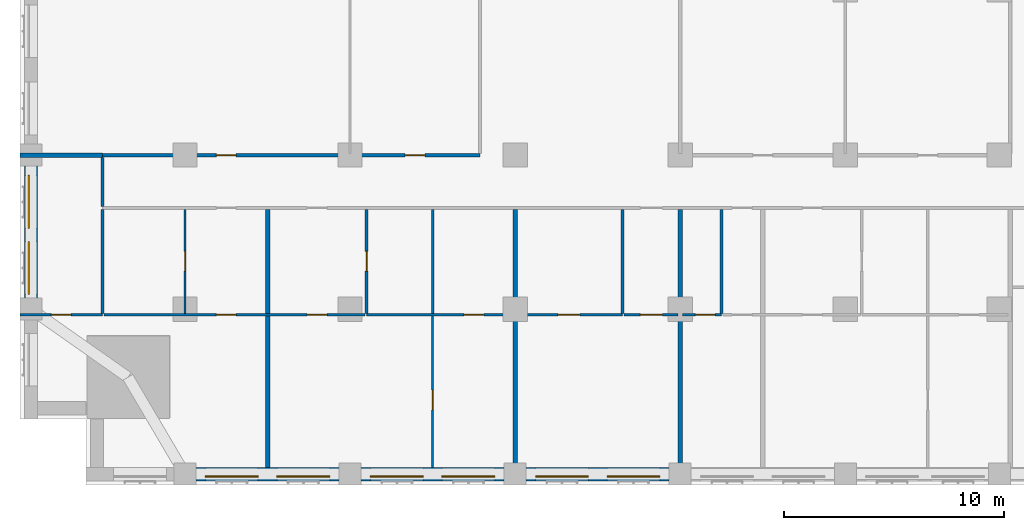
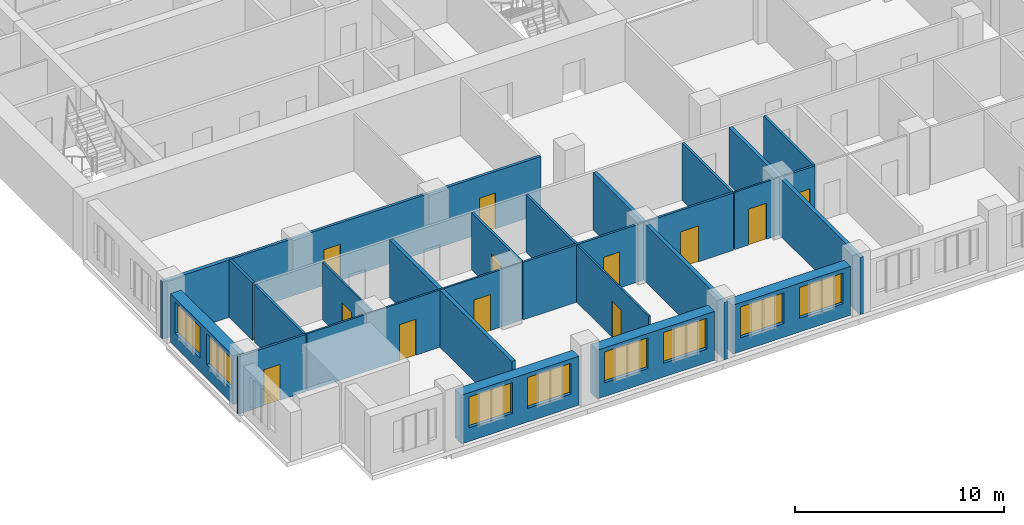
# One storey, part 4 of 14: 22 walls, 12 doors, 8 windows, 20 openings.
"""IFC4 building model written with IfcOpenShell, lengths in metres."""

from ifc_helpers import new_model, si_unit, direction, frame, frame_2d, origin, place, context, subcontext, project, spatial, rectangle, extrude, material, layer, layer_set, type_object, element, fill, save


model = new_model("IFC4")

# Units and contexts
model_context = context("Model", 3, precision=1e-05, world=origin(), true_north=direction((0.0, 1.0)))
body_context = subcontext(model_context, "Body", "Model", "MODEL_VIEW")
ifc_project = project(units=[si_unit("LENGTHUNIT", "METRE"), si_unit("AREAUNIT", "SQUARE_METRE"), si_unit("VOLUMEUNIT", "CUBIC_METRE"), si_unit("PLANEANGLEUNIT", "RADIAN"), si_unit("MASSUNIT", "GRAM", prefix="KILO")], contexts=[model_context])

# Site, building, storey
site_placement = place(None, origin())
site = spatial("IfcSite", under=ifc_project, at=site_placement, CompositionType="ELEMENT")
building_placement = place(site_placement, origin())
building = spatial("IfcBuilding", under=site, at=building_placement, Name="Tamorin Gate", CompositionType="ELEMENT")
storey_placement = place(building_placement, frame((0.0, 0.0, 79.10009765625)))
storey = spatial("IfcBuildingStorey", under=building, at=storey_placement, Name="L18", CompositionType="ELEMENT", Elevation=79.10009765625)

# Wall, openings, windows
ifc_material_1 = material(Name="Precast concrete C40/50", Category="concrete")
ifc_layer_1 = layer(ifc_material_1, 0.60009765625)
ifc_layer_set_1 = layer_set([ifc_layer_1], Name="Precast concrete C40/50")
wall_type_1 = type_object("IfcWallType", Name="Board-marked concrete facade panel 600", PredefinedType="SOLIDWALL", material=ifc_layer_set_1)
wall_1_placement = place(storey_placement, frame((38.0, 38.0, 0.0), z_axis=(0.0, 0.0, 1.0), x_axis=(1.0, 0.0, 0.0)))
wall_1 = element("IfcWall", 1, at=wall_1_placement, inside=storey, type_object=wall_type_1, Name="Facade panel", PredefinedType="SOLIDWALL", context=body_context, shape_type="SweptSolid", body=[
    extrude(rectangle(XDim=6.5, YDim=0.60009765625, at=frame_2d((3.25, 0.0))), origin(), (0.0, 0.0, 1.0), 2.849853515625),
])
opening_1_placement = place(wall_1_placement, frame((0.425048828125, 0.0, 0.800048828125)))
opening_1 = element("IfcOpeningElement", 2, at=opening_1_placement, cuts=wall_1, Name="Opening WN1", PredefinedType="OPENING", context=body_context, shape_type="SweptSolid", body=[
    extrude(rectangle(XDim=2.39990234375, YDim=1.800048828125, at=frame_2d((1.199951171875, 0.89990234375))), frame((0.0, 0.31005859375, 0.0), z_axis=(0.0, -1.0, 0.0), x_axis=(1.0, 0.0, 0.0)), (0.0, 0.0, 1.0), 0.6201171875),
])
opening_2_placement = place(wall_1_placement, frame((3.675048828125, 0.0, 0.800048828125)))
opening_2 = element("IfcOpeningElement", 3, at=opening_2_placement, cuts=wall_1, Name="Opening WN1", PredefinedType="OPENING", context=body_context, shape_type="SweptSolid", body=[
    extrude(rectangle(XDim=2.39990234375, YDim=1.800048828125, at=frame_2d((1.199951171875, 0.89990234375))), frame((0.0, 0.31005859375, 0.0), z_axis=(0.0, -1.0, 0.0), x_axis=(1.0, 0.0, 0.0)), (0.0, 0.0, 1.0), 0.6201171875),
])
ifc_material_2 = material(Name="Clear glass in aluminium frame", Category="aluminium")
window_type = type_object("IfcWindowType", Name="Deep-set window 2400x1800", PartitioningType="SINGLE_PANEL", PredefinedType="WINDOW", material=ifc_material_2)
window_1_placement = place(opening_1_placement, origin())
window_1 = element("IfcWindow", 4, at=window_1_placement, inside=storey, type_object=window_type, Name="Deep-set window", OverallHeight=1.800048828125, OverallWidth=2.39990234375, PartitioningType="SINGLE_PANEL", PredefinedType="WINDOW", context=body_context, shape_type="SweptSolid", body=[
    extrude(rectangle(XDim=2.39990234375, YDim=1.800048828125, at=frame_2d((1.199951171875, 0.89990234375))), frame((0.0, -0.070068359375, 0.0), z_axis=(0.0, -1.0, 0.0), x_axis=(1.0, 0.0, 0.0)), (0.0, 0.0, 1.0), 0.06005859375),
])
fill(opening_1, window_1)
window_2_placement = place(opening_2_placement, origin())
window_2 = element("IfcWindow", 5, at=window_2_placement, inside=storey, type_object=window_type, Name="Deep-set window", OverallHeight=1.800048828125, OverallWidth=2.39990234375, PartitioningType="SINGLE_PANEL", PredefinedType="WINDOW", context=body_context, shape_type="SweptSolid", body=[
    extrude(rectangle(XDim=2.39990234375, YDim=1.800048828125, at=frame_2d((1.199951171875, 0.89990234375))), frame((0.0, -0.070068359375, 0.0), z_axis=(0.0, -1.0, 0.0), x_axis=(1.0, 0.0, 0.0)), (0.0, 0.0, 1.0), 0.06005859375),
])
fill(opening_2, window_2)

wall_2_placement = place(storey_placement, frame((45.5, 38.0, 0.0), z_axis=(0.0, 0.0, 1.0), x_axis=(1.0, 0.0, 0.0)))
wall_2 = element("IfcWall", 6, at=wall_2_placement, inside=storey, type_object=wall_type_1, Name="Facade panel", PredefinedType="SOLIDWALL", context=body_context, shape_type="SweptSolid", body=[
    extrude(rectangle(XDim=6.5, YDim=0.60009765625, at=frame_2d((3.25, 0.0))), origin(), (0.0, 0.0, 1.0), 2.849853515625),
])
opening_3_placement = place(wall_2_placement, frame((0.425048828125, 0.0, 0.800048828125)))
opening_3 = element("IfcOpeningElement", 7, at=opening_3_placement, cuts=wall_2, Name="Opening WN1", PredefinedType="OPENING", context=body_context, shape_type="SweptSolid", body=[
    extrude(rectangle(XDim=2.39990234375, YDim=1.800048828125, at=frame_2d((1.199951171875, 0.89990234375))), frame((0.0, 0.31005859375, 0.0), z_axis=(0.0, -1.0, 0.0), x_axis=(1.0, 0.0, 0.0)), (0.0, 0.0, 1.0), 0.6201171875),
])
opening_4_placement = place(wall_2_placement, frame((3.675048828125, 0.0, 0.800048828125)))
opening_4 = element("IfcOpeningElement", 8, at=opening_4_placement, cuts=wall_2, Name="Opening WN1", PredefinedType="OPENING", context=body_context, shape_type="SweptSolid", body=[
    extrude(rectangle(XDim=2.39990234375, YDim=1.800048828125, at=frame_2d((1.199951171875, 0.89990234375))), frame((0.0, 0.31005859375, 0.0), z_axis=(0.0, -1.0, 0.0), x_axis=(1.0, 0.0, 0.0)), (0.0, 0.0, 1.0), 0.6201171875),
])
window_3_placement = place(opening_3_placement, origin())
window_3 = element("IfcWindow", 9, at=window_3_placement, inside=storey, type_object=window_type, Name="Deep-set window", OverallHeight=1.800048828125, OverallWidth=2.39990234375, PartitioningType="SINGLE_PANEL", PredefinedType="WINDOW", context=body_context, shape_type="SweptSolid", body=[
    extrude(rectangle(XDim=2.39990234375, YDim=1.800048828125, at=frame_2d((1.199951171875, 0.89990234375))), frame((0.0, -0.070068359375, 0.0), z_axis=(0.0, -1.0, 0.0), x_axis=(1.0, 0.0, 0.0)), (0.0, 0.0, 1.0), 0.06005859375),
])
fill(opening_3, window_3)
window_4_placement = place(opening_4_placement, origin())
window_4 = element("IfcWindow", 10, at=window_4_placement, inside=storey, type_object=window_type, Name="Deep-set window", OverallHeight=1.800048828125, OverallWidth=2.39990234375, PartitioningType="SINGLE_PANEL", PredefinedType="WINDOW", context=body_context, shape_type="SweptSolid", body=[
    extrude(rectangle(XDim=2.39990234375, YDim=1.800048828125, at=frame_2d((1.199951171875, 0.89990234375))), frame((0.0, -0.070068359375, 0.0), z_axis=(0.0, -1.0, 0.0), x_axis=(1.0, 0.0, 0.0)), (0.0, 0.0, 1.0), 0.06005859375),
])
fill(opening_4, window_4)

wall_3_placement = place(storey_placement, frame((53.0, 38.0, 0.0), z_axis=(0.0, 0.0, 1.0), x_axis=(1.0, 0.0, 0.0)))
wall_3 = element("IfcWall", 11, at=wall_3_placement, inside=storey, type_object=wall_type_1, Name="Facade panel", PredefinedType="SOLIDWALL", context=body_context, shape_type="SweptSolid", body=[
    extrude(rectangle(XDim=6.5, YDim=0.60009765625, at=frame_2d((3.25, 0.0))), origin(), (0.0, 0.0, 1.0), 2.849853515625),
])
opening_5_placement = place(wall_3_placement, frame((0.425048828125, 0.0, 0.800048828125)))
opening_5 = element("IfcOpeningElement", 12, at=opening_5_placement, cuts=wall_3, Name="Opening WN1", PredefinedType="OPENING", context=body_context, shape_type="SweptSolid", body=[
    extrude(rectangle(XDim=2.39990234375, YDim=1.800048828125, at=frame_2d((1.199951171875, 0.89990234375))), frame((0.0, 0.31005859375, 0.0), z_axis=(0.0, -1.0, 0.0), x_axis=(1.0, 0.0, 0.0)), (0.0, 0.0, 1.0), 0.6201171875),
])
opening_6_placement = place(wall_3_placement, frame((3.675048828125, 0.0, 0.800048828125)))
opening_6 = element("IfcOpeningElement", 13, at=opening_6_placement, cuts=wall_3, Name="Opening WN1", PredefinedType="OPENING", context=body_context, shape_type="SweptSolid", body=[
    extrude(rectangle(XDim=2.39990234375, YDim=1.800048828125, at=frame_2d((1.199951171875, 0.89990234375))), frame((0.0, 0.31005859375, 0.0), z_axis=(0.0, -1.0, 0.0), x_axis=(1.0, 0.0, 0.0)), (0.0, 0.0, 1.0), 0.6201171875),
])
window_5_placement = place(opening_5_placement, origin())
window_5 = element("IfcWindow", 14, at=window_5_placement, inside=storey, type_object=window_type, Name="Deep-set window", OverallHeight=1.800048828125, OverallWidth=2.39990234375, PartitioningType="SINGLE_PANEL", PredefinedType="WINDOW", context=body_context, shape_type="SweptSolid", body=[
    extrude(rectangle(XDim=2.39990234375, YDim=1.800048828125, at=frame_2d((1.199951171875, 0.89990234375))), frame((0.0, -0.070068359375, 0.0), z_axis=(0.0, -1.0, 0.0), x_axis=(1.0, 0.0, 0.0)), (0.0, 0.0, 1.0), 0.06005859375),
])
fill(opening_5, window_5)
window_6_placement = place(opening_6_placement, origin())
window_6 = element("IfcWindow", 15, at=window_6_placement, inside=storey, type_object=window_type, Name="Deep-set window", OverallHeight=1.800048828125, OverallWidth=2.39990234375, PartitioningType="SINGLE_PANEL", PredefinedType="WINDOW", context=body_context, shape_type="SweptSolid", body=[
    extrude(rectangle(XDim=2.39990234375, YDim=1.800048828125, at=frame_2d((1.199951171875, 0.89990234375))), frame((0.0, -0.070068359375, 0.0), z_axis=(0.0, -1.0, 0.0), x_axis=(1.0, 0.0, 0.0)), (0.0, 0.0, 1.0), 0.06005859375),
])
fill(opening_6, window_6)

wall_4_placement = place(storey_placement, frame((30.5, 52.0, 0.0), z_axis=(0.0, 0.0, 1.0), x_axis=(0.0, -1.0, 0.0)))
wall_4 = element("IfcWall", 16, at=wall_4_placement, inside=storey, type_object=wall_type_1, Name="Facade panel", PredefinedType="SOLIDWALL", context=body_context, shape_type="SweptSolid", body=[
    extrude(rectangle(XDim=6.0, YDim=0.60009765625, at=frame_2d((3.0, 0.0))), origin(), (0.0, 0.0, 1.0), 2.849853515625),
])
opening_7_placement = place(wall_4_placement, frame((3.425048828125, 0.0, 0.800048828125)))
opening_7 = element("IfcOpeningElement", 17, at=opening_7_placement, cuts=wall_4, Name="Opening WN1", PredefinedType="OPENING", context=body_context, shape_type="SweptSolid", body=[
    extrude(rectangle(XDim=2.39990234375, YDim=1.800048828125, at=frame_2d((1.199951171875, 0.89990234375))), frame((0.0, 0.31005859375, 0.0), z_axis=(0.0, -1.0, 0.0), x_axis=(1.0, 0.0, 0.0)), (0.0, 0.0, 1.0), 0.6201171875),
])
opening_8_placement = place(wall_4_placement, frame((0.425048828125, 0.0, 0.800048828125)))
opening_8 = element("IfcOpeningElement", 18, at=opening_8_placement, cuts=wall_4, Name="Opening WN1", PredefinedType="OPENING", context=body_context, shape_type="SweptSolid", body=[
    extrude(rectangle(XDim=2.39990234375, YDim=1.800048828125, at=frame_2d((1.199951171875, 0.89990234375))), frame((0.0, 0.31005859375, 0.0), z_axis=(0.0, -1.0, 0.0), x_axis=(1.0, 0.0, 0.0)), (0.0, 0.0, 1.0), 0.6201171875),
])
window_7_placement = place(opening_7_placement, origin())
window_7 = element("IfcWindow", 19, at=window_7_placement, inside=storey, type_object=window_type, Name="Deep-set window", OverallHeight=1.800048828125, OverallWidth=2.39990234375, PartitioningType="SINGLE_PANEL", PredefinedType="WINDOW", context=body_context, shape_type="SweptSolid", body=[
    extrude(rectangle(XDim=2.39990234375, YDim=1.800048828125, at=frame_2d((1.199951171875, 0.89990234375))), frame((0.0, -0.070068359375, 0.0), z_axis=(0.0, -1.0, 0.0), x_axis=(1.0, 0.0, 0.0)), (0.0, 0.0, 1.0), 0.06005859375),
])
fill(opening_7, window_7)
window_8_placement = place(opening_8_placement, origin())
window_8 = element("IfcWindow", 20, at=window_8_placement, inside=storey, type_object=window_type, Name="Deep-set window", OverallHeight=1.800048828125, OverallWidth=2.39990234375, PartitioningType="SINGLE_PANEL", PredefinedType="WINDOW", context=body_context, shape_type="SweptSolid", body=[
    extrude(rectangle(XDim=2.39990234375, YDim=1.800048828125, at=frame_2d((1.199951171875, 0.89990234375))), frame((0.0, -0.070068359375, 0.0), z_axis=(0.0, -1.0, 0.0), x_axis=(1.0, 0.0, 0.0)), (0.0, 0.0, 1.0), 0.06005859375),
])
fill(opening_8, window_8)

# Wall, openings, doors
ifc_material_3 = material(Name="Gypsum board partition")
ifc_layer_2 = layer(ifc_material_3, 0.14990234375)
ifc_layer_set_2 = layer_set([ifc_layer_2], Name="Corridor wall 150")
wall_type_2 = type_object("IfcWallType", Name="Corridor wall 150", PredefinedType="PARTITIONING", material=ifc_layer_set_2)
wall_5_placement = place(storey_placement, frame((33.75, 52.5, 0.0), z_axis=(0.0, 0.0, 1.0), x_axis=(1.0, 0.0, 0.0)))
wall_5 = element("IfcWall", 21, at=wall_5_placement, inside=storey, type_object=wall_type_2, Name="Corridor wall 150", PredefinedType="PARTITIONING", context=body_context, shape_type="SweptSolid", body=[
    extrude(rectangle(XDim=17.14990234375, YDim=0.14990234375, at=frame_2d((8.574951171875, 0.0))), origin(), (0.0, 0.0, 1.0), 3.349853515625),
])
opening_9_placement = place(wall_5_placement, frame((5.175048828125, 0.0, 0.0)))
opening_9 = element("IfcOpeningElement", 22, at=opening_9_placement, cuts=wall_5, Name="Opening DH5072", PredefinedType="OPENING", context=body_context, shape_type="SweptSolid", body=[
    extrude(rectangle(XDim=0.89990234375, YDim=2.10009765625, at=frame_2d((0.449951171875, 1.050048828125))), frame((0.0, 0.0849609375, 0.0), z_axis=(0.0, -1.0, 0.0), x_axis=(1.0, 0.0, 0.0)), (0.0, 0.0, 1.0), 0.169921875),
])
opening_10_placement = place(wall_5_placement, frame((13.75, 0.0, 0.0)))
opening_10 = element("IfcOpeningElement", 23, at=opening_10_placement, cuts=wall_5, Name="Opening DH5073", PredefinedType="OPENING", context=body_context, shape_type="SweptSolid", body=[
    extrude(rectangle(XDim=0.89990234375, YDim=2.10009765625, at=frame_2d((0.449951171875, 1.050048828125))), frame((0.0, 0.0849609375, 0.0), z_axis=(0.0, -1.0, 0.0), x_axis=(1.0, 0.0, 0.0)), (0.0, 0.0, 1.0), 0.169921875),
])
ifc_material_4 = material(Name="Timber door leaf", Category="wood")
door_type_1 = type_object("IfcDoorType", Name="Door 900 x 2100 FD30S", OperationType="NOTDEFINED", PredefinedType="DOOR", material=ifc_material_4)
door_1_placement = place(opening_9_placement, origin())
door_1 = element("IfcDoor", 24, at=door_1_placement, inside=storey, type_object=door_type_1, Name="Door DH5072", OperationType="SINGLE_SWING_LEFT", OverallHeight=2.10009765625, OverallWidth=0.89990234375, PredefinedType="DOOR", context=body_context, shape_type="SweptSolid", body=[
    extrude(rectangle(XDim=0.89990234375, YDim=2.10009765625, at=frame_2d((0.449951171875, 1.050048828125))), frame((0.0, 0.02490234375, 0.0), z_axis=(0.0, -1.0, 0.0), x_axis=(1.0, 0.0, 0.0)), (0.0, 0.0, 1.0), 0.050048828125),
])
fill(opening_9, door_1)
door_2_placement = place(opening_10_placement, origin())
door_2 = element("IfcDoor", 25, at=door_2_placement, inside=storey, type_object=door_type_1, Name="Door DH5073", OperationType="SINGLE_SWING_LEFT", OverallHeight=2.10009765625, OverallWidth=0.89990234375, PredefinedType="DOOR", context=body_context, shape_type="SweptSolid", body=[
    extrude(rectangle(XDim=0.89990234375, YDim=2.10009765625, at=frame_2d((0.449951171875, 1.050048828125))), frame((0.0, 0.02490234375, 0.0), z_axis=(0.0, -1.0, 0.0), x_axis=(1.0, 0.0, 0.0)), (0.0, 0.0, 1.0), 0.050048828125),
])
fill(opening_10, door_2)

# Walls
wall_6_placement = place(storey_placement, frame((33.75, 50.175048828125, 0.0), z_axis=(0.0, 0.0, 1.0), x_axis=(0.0, 1.0, 0.0)))
element("IfcWall", 26, at=wall_6_placement, inside=storey, type_object=wall_type_2, Name="Corridor wall 150", PredefinedType="PARTITIONING", context=body_context, shape_type="SweptSolid", body=[
    extrude(rectangle(XDim=2.224853515625, YDim=0.14990234375, at=frame_2d((1.1123046875, 0.0))), origin(), (0.0, 0.0, 1.0), 3.349853515625),
])
ifc_layer_3 = layer(ifc_material_3, 0.199951171875)
ifc_layer_set_3 = layer_set([ifc_layer_3], Name="Demising wall 200")
wall_type_3 = type_object("IfcWallType", Name="Demising wall 200", PredefinedType="PARTITIONING", material=ifc_layer_set_3)
wall_7_placement = place(storey_placement, frame((30.0, 52.5, 0.0), z_axis=(0.0, 0.0, 1.0), x_axis=(1.0, 0.0, 0.0)))
element("IfcWall", 27, at=wall_7_placement, inside=storey, type_object=wall_type_3, Name="Demising wall 200", PredefinedType="PARTITIONING", context=body_context, shape_type="SweptSolid", body=[
    extrude(rectangle(XDim=3.75, YDim=0.199951171875, at=frame_2d((1.875, 0.0))), origin(), (0.0, 0.0, 1.0), 3.349853515625),
])
wall_8_placement = place(storey_placement, frame((41.25, 38.31005859375, 0.0), z_axis=(0.0, 0.0, 1.0), x_axis=(0.0, 1.0, 0.0)))
element("IfcWall", 28, at=wall_8_placement, inside=storey, type_object=wall_type_3, Name="Demising wall 200", PredefinedType="PARTITIONING", context=body_context, shape_type="SweptSolid", body=[
    extrude(rectangle(XDim=11.71484375, YDim=0.199951171875, at=frame_2d((5.857421875, 0.0))), origin(), (0.0, 0.0, 1.0), 3.349853515625),
])
for number, where, z_axis, x_axis, name in (
    (29, (52.5, 37.5, 0.0), (0.0, 0.0, 1.0), (0.0, 1.0, 0.0), "Demising wall 200"),
    (30, (60.0, 37.5, 0.0), (0.0, 0.0, 1.0), (0.0, 1.0, 0.0), "Demising wall 200"),
):
    element("IfcWall", number, at=place(storey_placement, frame(where, z_axis=z_axis, x_axis=x_axis)), inside=storey, type_object=wall_type_3, Name=name, PredefinedType="PARTITIONING", context=body_context, shape_type="SweptSolid", body=[
        extrude(rectangle(XDim=12.52490234375, YDim=0.199951171875, at=frame_2d((6.262451171875, 0.0))), origin(), (0.0, 0.0, 1.0), 3.349853515625),
    ])

# Wall, openings, doors
ifc_layer_4 = layer(ifc_material_3, 0.10009765625)
ifc_layer_set_4 = layer_set([ifc_layer_4], Name="Room partition 100")
wall_type_4 = type_object("IfcWallType", Name="Room partition 100", PredefinedType="PARTITIONING", material=ifc_layer_set_4)
wall_9_placement = place(storey_placement, frame((33.8125, 45.25, 0.0), z_axis=(0.0, 0.0, 1.0), x_axis=(1.0, 0.0, 0.0)))
wall_9 = element("IfcWall", 31, at=wall_9_placement, inside=storey, type_object=wall_type_4, Name="Room partition 100", PredefinedType="PARTITIONING", context=body_context, shape_type="SweptSolid", body=[
    extrude(rectangle(XDim=11.875, YDim=0.10009765625, at=frame_2d((5.9375, 0.0))), origin(), (0.0, 0.0, 1.0), 3.349853515625),
])
opening_11_placement = place(wall_9_placement, frame((5.112548828125, 0.0, 0.0)))
opening_11 = element("IfcOpeningElement", 32, at=opening_11_placement, cuts=wall_9, Name="Opening DH5004", PredefinedType="OPENING", context=body_context, shape_type="SweptSolid", body=[
    extrude(rectangle(XDim=0.89990234375, YDim=2.10009765625, at=frame_2d((0.449951171875, 1.050048828125))), frame((0.0, 0.06005859375, 0.0), z_axis=(0.0, -1.0, 0.0), x_axis=(1.0, 0.0, 0.0)), (0.0, 0.0, 1.0), 0.1201171875),
])
opening_12_placement = place(wall_9_placement, frame((9.237548828125, 0.0, 0.0)))
opening_12 = element("IfcOpeningElement", 33, at=opening_12_placement, cuts=wall_9, Name="Opening DH5006", PredefinedType="OPENING", context=body_context, shape_type="SweptSolid", body=[
    extrude(rectangle(XDim=0.89990234375, YDim=2.10009765625, at=frame_2d((0.449951171875, 1.050048828125))), frame((0.0, 0.06005859375, 0.0), z_axis=(0.0, -1.0, 0.0), x_axis=(1.0, 0.0, 0.0)), (0.0, 0.0, 1.0), 0.1201171875),
])
door_type_2 = type_object("IfcDoorType", Name="Door 900 x 2100", OperationType="NOTDEFINED", PredefinedType="DOOR", material=ifc_material_4)
door_3_placement = place(opening_11_placement, origin())
door_3 = element("IfcDoor", 34, at=door_3_placement, inside=storey, type_object=door_type_2, Name="Door DH5004", OperationType="SINGLE_SWING_LEFT", OverallHeight=2.10009765625, OverallWidth=0.89990234375, PredefinedType="DOOR", context=body_context, shape_type="SweptSolid", body=[
    extrude(rectangle(XDim=0.89990234375, YDim=2.10009765625, at=frame_2d((0.449951171875, 1.050048828125))), frame((0.0, 0.02490234375, 0.0), z_axis=(0.0, -1.0, 0.0), x_axis=(1.0, 0.0, 0.0)), (0.0, 0.0, 1.0), 0.050048828125),
])
fill(opening_11, door_3)
door_4_placement = place(opening_12_placement, origin())
door_4 = element("IfcDoor", 35, at=door_4_placement, inside=storey, type_object=door_type_2, Name="Door DH5006", OperationType="SINGLE_SWING_LEFT", OverallHeight=2.10009765625, OverallWidth=0.89990234375, PredefinedType="DOOR", context=body_context, shape_type="SweptSolid", body=[
    extrude(rectangle(XDim=0.89990234375, YDim=2.10009765625, at=frame_2d((0.449951171875, 1.050048828125))), frame((0.0, 0.02490234375, 0.0), z_axis=(0.0, -1.0, 0.0), x_axis=(1.0, 0.0, 0.0)), (0.0, 0.0, 1.0), 0.050048828125),
])
fill(opening_12, door_4)

# Wall, opening, door
wall_10_placement = place(storey_placement, frame((57.4375, 45.25, 0.0), z_axis=(0.0, 0.0, 1.0), x_axis=(1.0, 0.0, 0.0)))
wall_10 = element("IfcWall", 36, at=wall_10_placement, inside=storey, type_object=wall_type_4, Name="Room partition 100", PredefinedType="PARTITIONING", context=body_context, shape_type="SweptSolid", body=[
    extrude(rectangle(XDim=2.46240234375, YDim=0.10009765625, at=frame_2d((1.231201171875, 0.0))), origin(), (0.0, 0.0, 1.0), 3.349853515625),
])
opening_13_placement = place(wall_10_placement, frame((0.75, 0.0, 0.0)))
opening_13 = element("IfcOpeningElement", 37, at=opening_13_placement, cuts=wall_10, Name="Opening DH5012", PredefinedType="OPENING", context=body_context, shape_type="SweptSolid", body=[
    extrude(rectangle(XDim=1.0, YDim=2.10009765625, at=frame_2d((0.5, 1.050048828125))), frame((0.0, 0.06005859375, 0.0), z_axis=(0.0, -1.0, 0.0), x_axis=(1.0, 0.0, 0.0)), (0.0, 0.0, 1.0), 0.1201171875),
])
door_type_3 = type_object("IfcDoorType", Name="Door 1000 x 2100", OperationType="NOTDEFINED", PredefinedType="DOOR", material=ifc_material_4)
door_5_placement = place(opening_13_placement, origin())
door_5 = element("IfcDoor", 38, at=door_5_placement, inside=storey, type_object=door_type_3, Name="Door DH5012", OperationType="SINGLE_SWING_LEFT", OverallHeight=2.10009765625, OverallWidth=1.0, PredefinedType="DOOR", context=body_context, shape_type="SweptSolid", body=[
    extrude(rectangle(XDim=1.0, YDim=2.10009765625, at=frame_2d((0.5, 1.050048828125))), frame((0.0, 0.02490234375, 0.0), z_axis=(0.0, -1.0, 0.0), x_axis=(1.0, 0.0, 0.0)), (0.0, 0.0, 1.0), 0.050048828125),
])
fill(opening_13, door_5)

wall_11_placement = place(storey_placement, frame((37.5, 45.300048828125, 0.0), z_axis=(0.0, 0.0, 1.0), x_axis=(0.0, 1.0, 0.0)))
wall_11 = element("IfcWall", 39, at=wall_11_placement, inside=storey, type_object=wall_type_4, Name="Room partition 100", PredefinedType="PARTITIONING", context=body_context, shape_type="SweptSolid", body=[
    extrude(rectangle(XDim=4.724853515625, YDim=0.10009765625, at=frame_2d((2.3623046875, 0.0))), origin(), (0.0, 0.0, 1.0), 3.349853515625),
])
opening_14_placement = place(wall_11_placement, frame((1.925048828125, 0.0, 0.0)))
opening_14 = element("IfcOpeningElement", 40, at=opening_14_placement, cuts=wall_11, Name="Opening DH5002", PredefinedType="OPENING", context=body_context, shape_type="SweptSolid", body=[
    extrude(rectangle(XDim=0.89990234375, YDim=2.10009765625, at=frame_2d((0.449951171875, 1.050048828125))), frame((0.0, 0.06005859375, 0.0), z_axis=(0.0, -1.0, 0.0), x_axis=(1.0, 0.0, 0.0)), (0.0, 0.0, 1.0), 0.1201171875),
])
door_6_placement = place(opening_14_placement, origin())
door_6 = element("IfcDoor", 41, at=door_6_placement, inside=storey, type_object=door_type_2, Name="Door DH5002", OperationType="SINGLE_SWING_RIGHT", OverallHeight=2.10009765625, OverallWidth=0.89990234375, PredefinedType="DOOR", context=body_context, shape_type="SweptSolid", body=[
    extrude(rectangle(XDim=0.89990234375, YDim=2.10009765625, at=frame_2d((0.449951171875, 1.050048828125))), frame((0.0, 0.02490234375, 0.0), z_axis=(0.0, -1.0, 0.0), x_axis=(1.0, 0.0, 0.0)), (0.0, 0.0, 1.0), 0.050048828125),
])
fill(opening_14, door_6)

wall_12_placement = place(storey_placement, frame((48.75, 38.31005859375, 0.0), z_axis=(0.0, 0.0, 1.0), x_axis=(0.0, 1.0, 0.0)))
wall_12 = element("IfcWall", 42, at=wall_12_placement, inside=storey, type_object=wall_type_4, Name="Room partition 100", PredefinedType="PARTITIONING", context=body_context, shape_type="SweptSolid", body=[
    extrude(rectangle(XDim=6.87744140625, YDim=0.10009765625, at=frame_2d((3.438720703125, 0.0))), origin(), (0.0, 0.0, 1.0), 3.349853515625),
])
opening_15_placement = place(wall_12_placement, frame((2.614990234375, 0.0, 0.0)))
opening_15 = element("IfcOpeningElement", 43, at=opening_15_placement, cuts=wall_12, Name="Opening DH5009", PredefinedType="OPENING", context=body_context, shape_type="SweptSolid", body=[
    extrude(rectangle(XDim=0.89990234375, YDim=2.10009765625, at=frame_2d((0.449951171875, 1.050048828125))), frame((0.0, 0.06005859375, 0.0), z_axis=(0.0, -1.0, 0.0), x_axis=(1.0, 0.0, 0.0)), (0.0, 0.0, 1.0), 0.1201171875),
])
door_7_placement = place(opening_15_placement, origin())
door_7 = element("IfcDoor", 44, at=door_7_placement, inside=storey, type_object=door_type_2, Name="Door DH5009", OperationType="SINGLE_SWING_LEFT", OverallHeight=2.10009765625, OverallWidth=0.89990234375, PredefinedType="DOOR", context=body_context, shape_type="SweptSolid", body=[
    extrude(rectangle(XDim=0.89990234375, YDim=2.10009765625, at=frame_2d((0.449951171875, 1.050048828125))), frame((0.0, 0.02490234375, 0.0), z_axis=(0.0, -1.0, 0.0), x_axis=(1.0, 0.0, 0.0)), (0.0, 0.0, 1.0), 0.050048828125),
])
fill(opening_15, door_7)

ifc_layer_5 = layer(ifc_material_3, 0.125)
ifc_layer_set_5 = layer_set([ifc_layer_5], Name="Wet wall 125")
wall_type_5 = type_object("IfcWallType", Name="Wet wall 125", PredefinedType="PARTITIONING", material=ifc_layer_set_5)
wall_13_placement = place(storey_placement, frame((30.0, 45.25, 0.0), z_axis=(0.0, 0.0, 1.0), x_axis=(1.0, 0.0, 0.0)))
wall_13 = element("IfcWall", 45, at=wall_13_placement, inside=storey, type_object=wall_type_5, Name="Wet wall 125", PredefinedType="PARTITIONING", context=body_context, shape_type="SweptSolid", body=[
    extrude(rectangle(XDim=3.75, YDim=0.125, at=frame_2d((1.875, 0.0))), origin(), (0.0, 0.0, 1.0), 3.349853515625),
])
opening_16_placement = place(wall_13_placement, frame((1.425048828125, 0.0, 0.0)))
opening_16 = element("IfcOpeningElement", 46, at=opening_16_placement, cuts=wall_13, Name="Opening DH5001", PredefinedType="OPENING", context=body_context, shape_type="SweptSolid", body=[
    extrude(rectangle(XDim=0.89990234375, YDim=2.10009765625, at=frame_2d((0.449951171875, 1.050048828125))), frame((0.0, 0.072509765625, 0.0), z_axis=(0.0, -1.0, 0.0), x_axis=(1.0, 0.0, 0.0)), (0.0, 0.0, 1.0), 0.14501953125),
])
door_8_placement = place(opening_16_placement, origin())
door_8 = element("IfcDoor", 47, at=door_8_placement, inside=storey, type_object=door_type_2, Name="Door DH5001", OperationType="SINGLE_SWING_LEFT", OverallHeight=2.10009765625, OverallWidth=0.89990234375, PredefinedType="DOOR", context=body_context, shape_type="SweptSolid", body=[
    extrude(rectangle(XDim=0.89990234375, YDim=2.10009765625, at=frame_2d((0.449951171875, 1.050048828125))), frame((0.0, 0.02490234375, 0.0), z_axis=(0.0, -1.0, 0.0), x_axis=(1.0, 0.0, 0.0)), (0.0, 0.0, 1.0), 0.050048828125),
])
fill(opening_16, door_8)

# Wall, openings, doors
wall_14_placement = place(storey_placement, frame((45.75, 45.25, 0.0), z_axis=(0.0, 0.0, 1.0), x_axis=(1.0, 0.0, 0.0)))
wall_14 = element("IfcWall", 48, at=wall_14_placement, inside=storey, type_object=wall_type_5, Name="Wet wall 125", PredefinedType="PARTITIONING", context=body_context, shape_type="SweptSolid", body=[
    extrude(rectangle(XDim=11.625, YDim=0.125, at=frame_2d((5.8125, 0.0))), origin(), (0.0, 0.0, 1.0), 3.349853515625),
])
opening_17_placement = place(wall_14_placement, frame((4.425048828125, 0.0, 0.0)))
opening_17 = element("IfcOpeningElement", 49, at=opening_17_placement, cuts=wall_14, Name="Opening DH5008", PredefinedType="OPENING", context=body_context, shape_type="SweptSolid", body=[
    extrude(rectangle(XDim=0.89990234375, YDim=2.10009765625, at=frame_2d((0.449951171875, 1.050048828125))), frame((0.0, 0.072509765625, 0.0), z_axis=(0.0, -1.0, 0.0), x_axis=(1.0, 0.0, 0.0)), (0.0, 0.0, 1.0), 0.14501953125),
])
opening_18_placement = place(wall_14_placement, frame((8.6875, 0.0, 0.0)))
opening_18 = element("IfcOpeningElement", 50, at=opening_18_placement, cuts=wall_14, Name="Opening DH5010", PredefinedType="OPENING", context=body_context, shape_type="SweptSolid", body=[
    extrude(rectangle(XDim=1.0, YDim=2.10009765625, at=frame_2d((0.5, 1.050048828125))), frame((0.0, 0.072509765625, 0.0), z_axis=(0.0, -1.0, 0.0), x_axis=(1.0, 0.0, 0.0)), (0.0, 0.0, 1.0), 0.14501953125),
])
door_9_placement = place(opening_18_placement, origin())
door_9 = element("IfcDoor", 51, at=door_9_placement, inside=storey, type_object=door_type_3, Name="Door DH5010", OperationType="SINGLE_SWING_LEFT", OverallHeight=2.10009765625, OverallWidth=1.0, PredefinedType="DOOR", context=body_context, shape_type="SweptSolid", body=[
    extrude(rectangle(XDim=1.0, YDim=2.10009765625, at=frame_2d((0.5, 1.050048828125))), frame((0.0, 0.02490234375, 0.0), z_axis=(0.0, -1.0, 0.0), x_axis=(1.0, 0.0, 0.0)), (0.0, 0.0, 1.0), 0.050048828125),
])
fill(opening_18, door_9)
door_10_placement = place(opening_17_placement, origin())
door_10 = element("IfcDoor", 52, at=door_10_placement, inside=storey, type_object=door_type_2, Name="Door DH5008", OperationType="SINGLE_SWING_LEFT", OverallHeight=2.10009765625, OverallWidth=0.89990234375, PredefinedType="DOOR", context=body_context, shape_type="SweptSolid", body=[
    extrude(rectangle(XDim=0.89990234375, YDim=2.10009765625, at=frame_2d((0.449951171875, 1.050048828125))), frame((0.0, 0.02490234375, 0.0), z_axis=(0.0, -1.0, 0.0), x_axis=(1.0, 0.0, 0.0)), (0.0, 0.0, 1.0), 0.050048828125),
])
fill(opening_17, door_10)

# Wall, opening, door
wall_15_placement = place(storey_placement, frame((60.10009765625, 45.25, 0.0), z_axis=(0.0, 0.0, 1.0), x_axis=(1.0, 0.0, 0.0)))
wall_15 = element("IfcWall", 53, at=wall_15_placement, inside=storey, type_object=wall_type_5, Name="Wet wall 125", PredefinedType="PARTITIONING", context=body_context, shape_type="SweptSolid", body=[
    extrude(rectangle(XDim=1.77490234375, YDim=0.125, at=frame_2d((0.887451171875, 0.0))), origin(), (0.0, 0.0, 1.0), 3.349853515625),
])
opening_19_placement = place(wall_15_placement, frame((0.58740234375, 0.0, 0.0)))
opening_19 = element("IfcOpeningElement", 54, at=opening_19_placement, cuts=wall_15, Name="Opening DH5013", PredefinedType="OPENING", context=body_context, shape_type="SweptSolid", body=[
    extrude(rectangle(XDim=0.89990234375, YDim=2.10009765625, at=frame_2d((0.449951171875, 1.050048828125))), frame((0.0, 0.072509765625, 0.0), z_axis=(0.0, -1.0, 0.0), x_axis=(1.0, 0.0, 0.0)), (0.0, 0.0, 1.0), 0.14501953125),
])
door_11_placement = place(opening_19_placement, origin())
door_11 = element("IfcDoor", 55, at=door_11_placement, inside=storey, type_object=door_type_2, Name="Door DH5013", OperationType="SINGLE_SWING_RIGHT", OverallHeight=2.10009765625, OverallWidth=0.89990234375, PredefinedType="DOOR", context=body_context, shape_type="SweptSolid", body=[
    extrude(rectangle(XDim=0.89990234375, YDim=2.10009765625, at=frame_2d((0.449951171875, 1.050048828125))), frame((0.0, 0.02490234375, 0.0), z_axis=(0.0, -1.0, 0.0), x_axis=(1.0, 0.0, 0.0)), (0.0, 0.0, 1.0), 0.050048828125),
])
fill(opening_19, door_11)

# Wall
wall_16_placement = place(storey_placement, frame((33.75, 45.3125, 0.0), z_axis=(0.0, 0.0, 1.0), x_axis=(0.0, 1.0, 0.0)))
element("IfcWall", 56, at=wall_16_placement, inside=storey, type_object=wall_type_5, Name="Wet wall 125", PredefinedType="PARTITIONING", context=body_context, shape_type="SweptSolid", body=[
    extrude(rectangle(XDim=4.71240234375, YDim=0.125, at=frame_2d((2.356201171875, 0.0))), origin(), (0.0, 0.0, 1.0), 3.349853515625),
])

# Wall, opening, door
wall_17_placement = place(storey_placement, frame((45.75, 45.3125, 0.0), z_axis=(0.0, 0.0, 1.0), x_axis=(0.0, 1.0, 0.0)))
wall_17 = element("IfcWall", 57, at=wall_17_placement, inside=storey, type_object=wall_type_5, Name="Wet wall 125", PredefinedType="PARTITIONING", context=body_context, shape_type="SweptSolid", body=[
    extrude(rectangle(XDim=4.71240234375, YDim=0.125, at=frame_2d((2.356201171875, 0.0))), origin(), (0.0, 0.0, 1.0), 3.349853515625),
])
opening_20_placement = place(wall_17_placement, frame((1.91259765625, 0.0, 0.0)))
opening_20 = element("IfcOpeningElement", 58, at=opening_20_placement, cuts=wall_17, Name="Opening DH5007", PredefinedType="OPENING", context=body_context, shape_type="SweptSolid", body=[
    extrude(rectangle(XDim=0.89990234375, YDim=2.10009765625, at=frame_2d((0.449951171875, 1.050048828125))), frame((0.0, 0.072509765625, 0.0), z_axis=(0.0, -1.0, 0.0), x_axis=(1.0, 0.0, 0.0)), (0.0, 0.0, 1.0), 0.14501953125),
])
door_12_placement = place(opening_20_placement, origin())
door_12 = element("IfcDoor", 59, at=door_12_placement, inside=storey, type_object=door_type_2, Name="Door DH5007", OperationType="SINGLE_SWING_LEFT", OverallHeight=2.10009765625, OverallWidth=0.89990234375, PredefinedType="DOOR", context=body_context, shape_type="SweptSolid", body=[
    extrude(rectangle(XDim=0.89990234375, YDim=2.10009765625, at=frame_2d((0.449951171875, 1.050048828125))), frame((0.0, 0.02490234375, 0.0), z_axis=(0.0, -1.0, 0.0), x_axis=(1.0, 0.0, 0.0)), (0.0, 0.0, 1.0), 0.050048828125),
])
fill(opening_20, door_12)

# Walls
for number, where, z_axis, x_axis, name in (
    (60, (48.75, 45.3125, 0.0), (0.0, 0.0, 1.0), (0.0, 1.0, 0.0), "Wet wall 125"),
    (61, (57.375, 45.3125, 0.0), (0.0, 0.0, 1.0), (0.0, 1.0, 0.0), "Wet wall 125"),
    (62, (61.875, 45.3125, 0.0), (0.0, 0.0, 1.0), (0.0, 1.0, 0.0), "Wet wall 125"),
):
    element("IfcWall", number, at=place(storey_placement, frame(where, z_axis=z_axis, x_axis=x_axis)), inside=storey, type_object=wall_type_5, Name=name, PredefinedType="PARTITIONING", context=body_context, shape_type="SweptSolid", body=[
        extrude(rectangle(XDim=4.71240234375, YDim=0.125, at=frame_2d((2.356201171875, 0.0))), origin(), (0.0, 0.0, 1.0), 3.349853515625),
    ])

save(model, "model.ifc")
